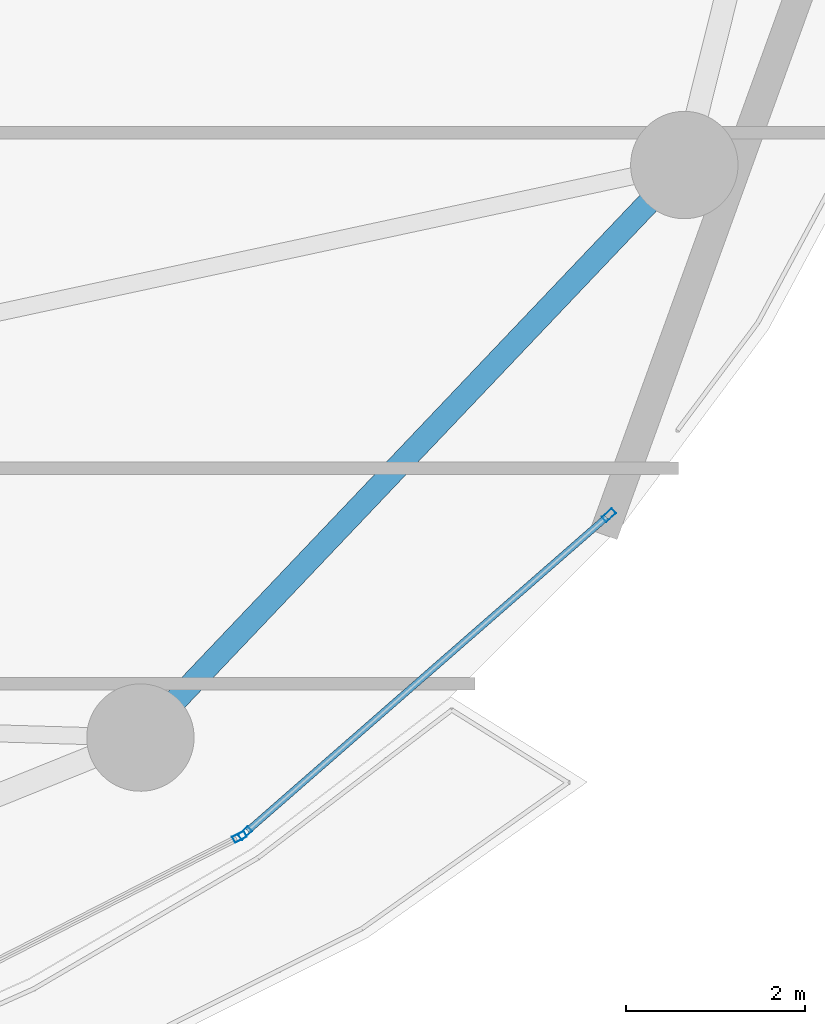
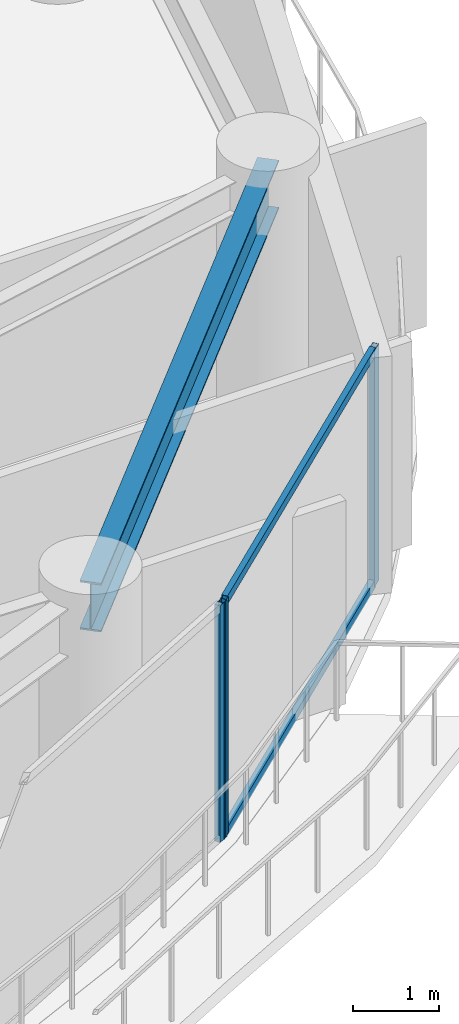
# One storey, part 13 of 28: 5 members, 1 beam, 2 elements without a shape of their own.
"""IFC4 building model written with IfcOpenShell, lengths in metres."""

from ifc_helpers import new_model, si_unit, direction, frame, origin, origin_2d, place, context, subcontext, project, spatial, hollow_rectangle, i_section, extrude, material, layer, layer_set, material_profile, profile_set, type_object, element, aggregate, save


model = new_model("IFC4")

# Units and contexts
model_context = context("Model", 3, precision=1e-05, world=origin(), true_north=direction((0.0, 1.0)))
body_context = subcontext(model_context, "Body", "Model", "MODEL_VIEW")
ifc_project = project(units=[si_unit("LENGTHUNIT", "METRE"), si_unit("AREAUNIT", "SQUARE_METRE"), si_unit("VOLUMEUNIT", "CUBIC_METRE"), si_unit("PLANEANGLEUNIT", "RADIAN"), si_unit("MASSUNIT", "GRAM", prefix="KILO")], contexts=[model_context])

# Site, building, storey
site_placement = place(None, origin())
site = spatial("IfcSite", under=ifc_project, at=site_placement, CompositionType="ELEMENT")
building_placement = place(site_placement, origin())
building = spatial("IfcBuilding", under=site, at=building_placement, Name="Kazevale Care Tower and Concert Hall", CompositionType="ELEMENT")
storey_placement = place(building_placement, frame((0.0, 0.0, 142.199951171875)))
storey = spatial("IfcBuildingStorey", under=building, at=storey_placement, Name="L37", CompositionType="ELEMENT", Elevation=142.199951171875)

# Curtain wall, members
ifc_material_1 = material(Name="Aluminium 6063-T6 and Low-E Glass", Category="aluminium")
ifc_layer = layer(ifc_material_1, 0.179931640625)
ifc_layer_set = layer_set([ifc_layer], Name="Aluminium 6063-T6 and Low-E Glass")
curtain_wall_type = type_object("IfcCurtainWallType", Name="Sheltered Concave Balcony Curtain Wall CW-5", PredefinedType="NOTDEFINED", material=ifc_layer_set)
curtain_wall_1_placement = place(storey_placement, origin())
curtain_wall_1 = element("IfcCurtainWall", 1, at=curtain_wall_1_placement, inside=storey, type_object=curtain_wall_type, Name="cw:L37:f02", PredefinedType="NOTDEFINED")
ifc_material_2 = material(Name="Aluminium 6063-T6", Category="aluminium")
ifc_material_profile_1 = material_profile(ifc_material_2, hollow_rectangle(XDim=0.074951171875, YDim=0.14990234375, WallThickness=0.00390625, at=origin_2d()), Name="ALU75x150x4")
ifc_profile_set_1 = profile_set([ifc_material_profile_1], Name="Aluminium 6063-T6")
member_type_1 = type_object("IfcMemberType", Name="CW-5 Mullion ALU75x150x4", PredefinedType="MULLION", material=ifc_profile_set_1)
member_1_placement = place(storey_placement, frame((70.06787109375, 25.477294921875, 0.0), z_axis=(0.0, 0.0, 1.0), x_axis=(0.657948668382, -0.753062779437, 0.0)))
member_1 = element("IfcMember", 2, at=member_1_placement, type_object=member_type_1, Name="CW-5 mullion 1", PredefinedType="MULLION", context=body_context, shape_type="SweptSolid", body=[
    extrude(hollow_rectangle(XDim=0.074951171875, YDim=0.14990234375, WallThickness=0.00390625, at=origin_2d()), origin(), (0.0, 0.0, 1.0), 3.360107421875),
])
member_2_placement = place(storey_placement, frame((65.999267578125, 21.922607421875, 0.0), z_axis=(0.0, 0.0, 1.0), x_axis=(0.657948668382, -0.753062779437, 0.0)))
member_2 = element("IfcMember", 3, at=member_2_placement, type_object=member_type_1, Name="CW-5 mullion 2", PredefinedType="MULLION", context=body_context, shape_type="SweptSolid", body=[
    extrude(hollow_rectangle(XDim=0.074951171875, YDim=0.14990234375, WallThickness=0.00390625, at=origin_2d()), origin(), (0.0, 0.0, 1.0), 3.360107421875),
])

# Curtain wall, member
curtain_wall_2_placement = place(storey_placement, origin())
curtain_wall_2 = element("IfcCurtainWall", 4, at=curtain_wall_2_placement, inside=storey, type_object=curtain_wall_type, Name="cw:L37:f03", PredefinedType="NOTDEFINED")
member_3_placement = place(storey_placement, frame((65.9375, 21.880859375, 0.0), z_axis=(0.0, 0.0, 1.0), x_axis=(0.455713236575, -0.890126646051, 0.0)))
member_3 = element("IfcMember", 5, at=member_3_placement, type_object=member_type_1, Name="CW-5 mullion 1", PredefinedType="MULLION", context=body_context, shape_type="SweptSolid", body=[
    extrude(hollow_rectangle(XDim=0.074951171875, YDim=0.14990234375, WallThickness=0.00390625, at=origin_2d()), origin(), (0.0, 0.0, 1.0), 3.360107421875),
])
aggregate(curtain_wall_2, [member_3])

# Member
ifc_material_profile_2 = material_profile(ifc_material_2, hollow_rectangle(XDim=0.074951171875, YDim=0.1201171875, WallThickness=0.00390625, at=origin_2d()), Name="ALU75x120x4")
ifc_profile_set_2 = profile_set([ifc_material_profile_2], Name="Aluminium 6063-T6")
member_type_2 = type_object("IfcMemberType", Name="CW-5 Transom ALU75x120x4", PredefinedType="USERDEFINED", material=ifc_profile_set_2)
member_4_placement = place(storey_placement, frame((70.03955078125, 25.45263671875, 0.03759765625), z_axis=(-0.753050570644, -0.657962641837, 0.0), x_axis=(0.657962641837, -0.753050570644, 0.0)))
member_4 = element("IfcMember", 6, at=member_4_placement, type_object=member_type_2, Name="CW-5 transom 1.1", ObjectType="TRANSOM", PredefinedType="USERDEFINED", context=body_context, shape_type="SweptSolid", body=[
    extrude(hollow_rectangle(XDim=0.074951171875, YDim=0.1201171875, WallThickness=0.00390625, at=origin_2d()), origin(), (0.0, 0.0, 1.0), 5.32763671875),
])

member_5_placement = place(storey_placement, frame((70.03955078125, 25.45263671875, 3.322509765625), z_axis=(-0.753050570644, -0.657962641837, 0.0), x_axis=(0.657962641837, -0.753050570644, 0.0)))
member_5 = element("IfcMember", 7, at=member_5_placement, type_object=member_type_2, Name="CW-5 transom 1.2", ObjectType="TRANSOM", PredefinedType="USERDEFINED", context=body_context, shape_type="SweptSolid", body=[
    extrude(hollow_rectangle(XDim=0.074951171875, YDim=0.1201171875, WallThickness=0.00390625, at=origin_2d()), origin(), (0.0, 0.0, 1.0), 5.32763671875),
])

aggregate(curtain_wall_1, [member_1, member_2, member_4, member_5])

# Beam
ifc_material_3 = material(Name="Steel ASTM A572 Gr 50", Category="steel")
ifc_material_profile_3 = material_profile(ifc_material_3, i_section(OverallWidth=0.256103515625, OverallDepth=0.693115234375, WebThickness=0.014404296875, FlangeThickness=0.023681640625, at=origin_2d()), Name="W690x170")
ifc_profile_set_3 = profile_set([ifc_material_profile_3], Name="Steel ASTM A572 Gr 50")
beam_type = type_object("IfcBeamType", Name="Waist Ring Beam W690x170", PredefinedType="BEAM", material=ifc_profile_set_3)
beam_placement = place(storey_placement, frame((64.830078125, 22.989990234375, 3.013427734375), z_axis=(0.688745100728, 0.725003576697, 0.0), x_axis=(-0.725003576697, 0.688745100728, 0.0)))
element("IfcBeam", 8, at=beam_placement, inside=storey, type_object=beam_type, Name="beam:L37:ring:15", PredefinedType="BEAM", context=body_context, shape_type="SweptSolid", body=[
    extrude(i_section(OverallWidth=0.256103515625, OverallDepth=0.693115234375, WebThickness=0.014404296875, FlangeThickness=0.023681640625, at=origin_2d()), origin(), (0.0, 0.0, 1.0), 8.827392578125),
])

save(model, "model.ifc")
